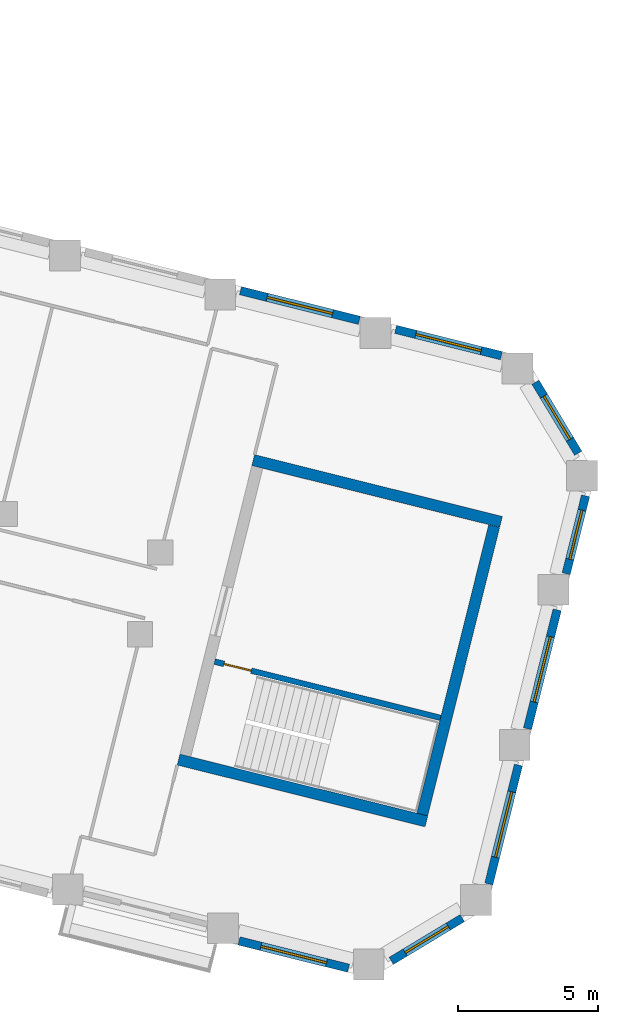
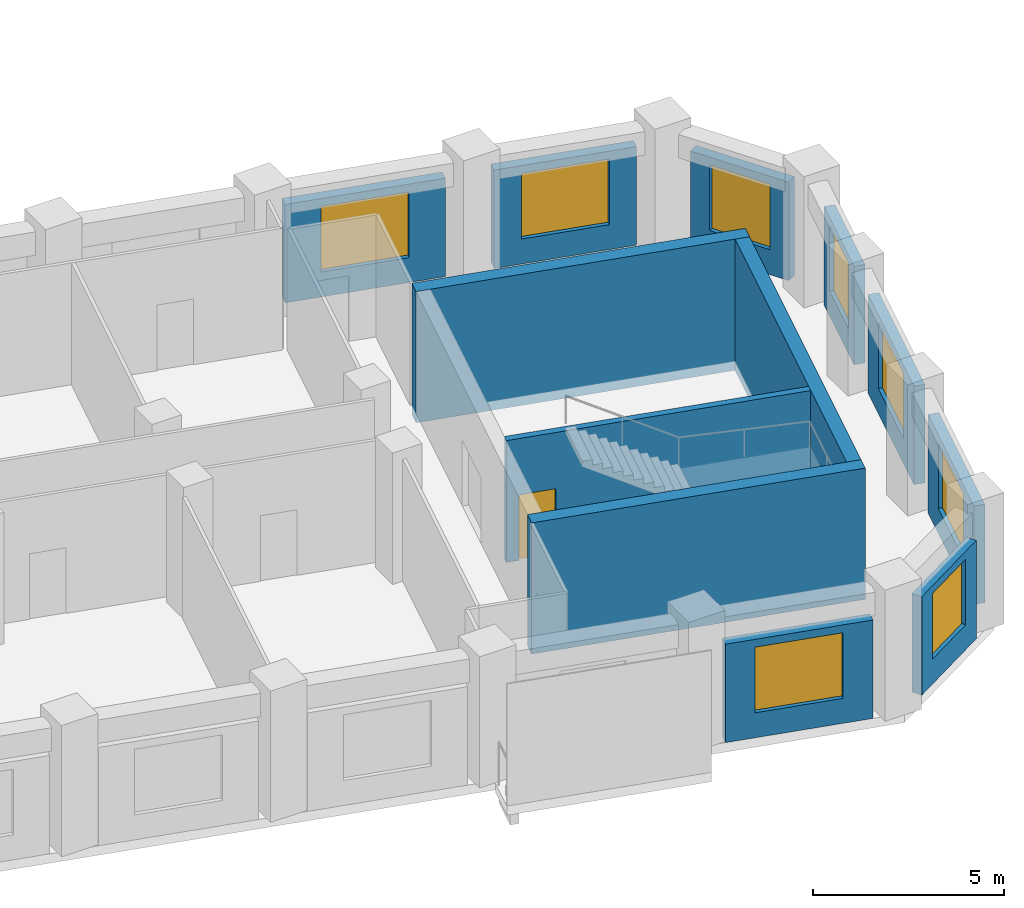
# One storey, part 7 of 10: 12 walls, 8 windows, 1 door, 9 openings.
"""IFC4 building model written with IfcOpenShell, lengths in metres."""

from ifc_helpers import new_model, si_unit, direction, frame, frame_2d, origin, place, context, subcontext, project, spatial, rectangle, extrude, material, layer, layer_set, type_object, element, fill, save


model = new_model("IFC4")

# Units and contexts
model_context = context("Model", 3, precision=1e-05, world=origin(), true_north=direction((0.0, 1.0)))
body_context = subcontext(model_context, "Body", "Model", "MODEL_VIEW")
ifc_project = project(units=[si_unit("LENGTHUNIT", "METRE"), si_unit("AREAUNIT", "SQUARE_METRE"), si_unit("VOLUMEUNIT", "CUBIC_METRE"), si_unit("PLANEANGLEUNIT", "RADIAN"), si_unit("MASSUNIT", "GRAM", prefix="KILO")], contexts=[model_context])

# Site, building, storey
site_placement = place(None, origin())
site = spatial("IfcSite", under=ifc_project, at=site_placement, CompositionType="ELEMENT")
building_placement = place(site_placement, origin())
building = spatial("IfcBuilding", under=site, at=building_placement, Name="Meshkara Civic Tower", CompositionType="ELEMENT")
storey_placement = place(building_placement, frame((0.0, 0.0, 271.800048828125)))
storey = spatial("IfcBuildingStorey", under=building, at=storey_placement, Name="L62", CompositionType="ELEMENT", Elevation=271.800048828125)

# Wall, opening, window
ifc_material_1 = material(Name="Insulated infill panel with bronze anodised aluminium cladding", Category="aluminium")
ifc_layer_1 = layer(ifc_material_1, 0.300048828125)
ifc_layer_set_1 = layer_set([ifc_layer_1], Name="EXTERNAL INFILL WALL 300")
wall_type_1 = type_object("IfcWallType", Name="EXTERNAL INFILL WALL 300", PredefinedType="SOLIDWALL", material=ifc_layer_set_1)
wall_1_placement = place(storey_placement, frame((71.02001953125, 5.635986328125, 0.0), z_axis=(0.0, 0.0, 1.0), x_axis=(-0.970297701374, 0.241913973777, 0.0)))
wall_1 = element("IfcWall", 1, at=wall_1_placement, inside=storey, type_object=wall_type_1, Name="External wall", PredefinedType="SOLIDWALL", context=body_context, shape_type="SweptSolid", body=[
    extrude(rectangle(XDim=3.88134765625, YDim=0.300048828125, at=frame_2d((1.940673828125, 0.0))), origin(), (0.0, 0.0, 1.0), 3.14990234375),
])
opening_1_placement = place(wall_1_placement, frame((0.740966796875, 0.0, 0.800048828125)))
opening_1 = element("IfcOpeningElement", 2, at=opening_1_placement, cuts=wall_1, Name="Opening W7", PredefinedType="OPENING", context=body_context, shape_type="SweptSolid", body=[
    extrude(rectangle(XDim=2.39990234375, YDim=2.10009765625, at=frame_2d((1.199951171875, 1.050048828125))), frame((0.0, 0.159912109375, 0.0), z_axis=(0.0, -1.0, 0.0), x_axis=(1.0, 0.0, 0.0)), (0.0, 0.0, 1.0), 0.320068359375),
])
ifc_material_2 = material(Name="Tinted double glazing", Category="glass")
window_type_1 = type_object("IfcWindowType", Name="WINDOW 2400x2100", PartitioningType="DOUBLE_PANEL_VERTICAL", PredefinedType="WINDOW", material=ifc_material_2)
window_1_placement = place(opening_1_placement, origin())
window_1 = element("IfcWindow", 3, at=window_1_placement, inside=storey, type_object=window_type_1, Name="Window", OverallHeight=2.10009765625, OverallWidth=2.39990234375, PartitioningType="DOUBLE_PANEL_VERTICAL", PredefinedType="WINDOW", context=body_context, shape_type="SweptSolid", body=[
    extrude(rectangle(XDim=2.39990234375, YDim=2.10009765625, at=frame_2d((1.199951171875, 1.050048828125))), frame((0.0, 0.030029296875, 0.0), z_axis=(0.0, -1.0, 0.0), x_axis=(1.0, 0.0, 0.0)), (0.0, 0.0, 1.0), 0.06005859375),
])
fill(opening_1, window_1)

wall_2_placement = place(storey_placement, frame((65.9599609375, 6.89794921875, 0.0), z_axis=(0.0, 0.0, 1.0), x_axis=(-0.970309996763, 0.241864652607, 0.0)))
wall_2 = element("IfcWall", 4, at=wall_2_placement, inside=storey, type_object=wall_type_1, Name="External wall", PredefinedType="SOLIDWALL", context=body_context, shape_type="SweptSolid", body=[
    extrude(rectangle(XDim=4.36669921875, YDim=0.300048828125, at=frame_2d((2.183349609375, 0.0))), origin(), (0.0, 0.0, 1.0), 3.14990234375),
])
opening_2_placement = place(wall_2_placement, frame((0.98291015625, 0.0, 0.800048828125)))
opening_2 = element("IfcOpeningElement", 5, at=opening_2_placement, cuts=wall_2, Name="Opening W7", PredefinedType="OPENING", context=body_context, shape_type="SweptSolid", body=[
    extrude(rectangle(XDim=2.39990234375, YDim=2.10009765625, at=frame_2d((1.199951171875, 1.050048828125))), frame((0.0, 0.159912109375, 0.0), z_axis=(0.0, -1.0, 0.0), x_axis=(1.0, 0.0, 0.0)), (0.0, 0.0, 1.0), 0.320068359375),
])
window_2_placement = place(opening_2_placement, origin())
window_2 = element("IfcWindow", 6, at=window_2_placement, inside=storey, type_object=window_type_1, Name="Window", OverallHeight=2.10009765625, OverallWidth=2.39990234375, PartitioningType="DOUBLE_PANEL_VERTICAL", PredefinedType="WINDOW", context=body_context, shape_type="SweptSolid", body=[
    extrude(rectangle(XDim=2.39990234375, YDim=2.10009765625, at=frame_2d((1.199951171875, 1.050048828125))), frame((0.0, 0.030029296875, 0.0), z_axis=(0.0, -1.0, 0.0), x_axis=(1.0, 0.0, 0.0)), (0.0, 0.0, 1.0), 0.06005859375),
])
fill(opening_2, window_2)

wall_3_placement = place(storey_placement, frame((61.6708984375, -15.220947265625, 0.0), z_axis=(0.0, 0.0, 1.0), x_axis=(0.97026726112, -0.242036034503, 0.0)))
wall_3 = element("IfcWall", 7, at=wall_3_placement, inside=storey, type_object=wall_type_1, Name="External wall", PredefinedType="SOLIDWALL", context=body_context, shape_type="SweptSolid", body=[
    extrude(rectangle(XDim=4.024658203125, YDim=0.300048828125, at=frame_2d((2.01220703125, 0.0))), origin(), (0.0, 0.0, 1.0), 3.14990234375),
])
opening_3_placement = place(wall_3_placement, frame((0.81201171875, 0.0, 0.800048828125)))
opening_3 = element("IfcOpeningElement", 8, at=opening_3_placement, cuts=wall_3, Name="Opening W7", PredefinedType="OPENING", context=body_context, shape_type="SweptSolid", body=[
    extrude(rectangle(XDim=2.39990234375, YDim=2.10009765625, at=frame_2d((1.199951171875, 1.050048828125))), frame((0.0, 0.159912109375, 0.0), z_axis=(0.0, -1.0, 0.0), x_axis=(1.0, 0.0, 0.0)), (0.0, 0.0, 1.0), 0.320068359375),
])
window_3_placement = place(opening_3_placement, origin())
window_3 = element("IfcWindow", 9, at=window_3_placement, inside=storey, type_object=window_type_1, Name="Window", OverallHeight=2.10009765625, OverallWidth=2.39990234375, PartitioningType="DOUBLE_PANEL_VERTICAL", PredefinedType="WINDOW", context=body_context, shape_type="SweptSolid", body=[
    extrude(rectangle(XDim=2.39990234375, YDim=2.10009765625, at=frame_2d((1.199951171875, 1.050048828125))), frame((0.0, 0.030029296875, 0.0), z_axis=(0.0, -1.0, 0.0), x_axis=(1.0, 0.0, 0.0)), (0.0, 0.0, 1.0), 0.06005859375),
])
fill(opening_3, window_3)

wall_4_placement = place(storey_placement, frame((67.097900390625, -15.93408203125, 0.0), z_axis=(0.0, 0.0, 1.0), x_axis=(0.857077006791, 0.515188319384, 0.0)))
wall_4 = element("IfcWall", 10, at=wall_4_placement, inside=storey, type_object=wall_type_1, Name="External wall", PredefinedType="SOLIDWALL", context=body_context, shape_type="SweptSolid", body=[
    extrude(rectangle(XDim=2.9541015625, YDim=0.300048828125, at=frame_2d((1.47705078125, 0.0))), origin(), (0.0, 0.0, 1.0), 3.14990234375),
])
opening_4_placement = place(wall_4_placement, frame((0.576904296875, 0.0, 0.800048828125)))
opening_4 = element("IfcOpeningElement", 11, at=opening_4_placement, cuts=wall_4, Name="Opening W9", PredefinedType="OPENING", context=body_context, shape_type="SweptSolid", body=[
    extrude(rectangle(XDim=1.800048828125, YDim=2.10009765625, at=frame_2d((0.89990234375, 1.050048828125))), frame((0.0, 0.159912109375, 0.0), z_axis=(0.0, -1.0, 0.0), x_axis=(1.0, 0.0, 0.0)), (0.0, 0.0, 1.0), 0.320068359375),
])
ifc_material_3 = material(Name="Tinted double glazing", Category="glass")
window_type_2 = type_object("IfcWindowType", Name="WINDOW 1800x2100", PartitioningType="DOUBLE_PANEL_VERTICAL", PredefinedType="WINDOW", material=ifc_material_3)
window_4_placement = place(opening_4_placement, origin())
window_4 = element("IfcWindow", 12, at=window_4_placement, inside=storey, type_object=window_type_2, Name="Window", OverallHeight=2.10009765625, OverallWidth=1.800048828125, PartitioningType="DOUBLE_PANEL_VERTICAL", PredefinedType="WINDOW", context=body_context, shape_type="SweptSolid", body=[
    extrude(rectangle(XDim=1.800048828125, YDim=2.10009765625, at=frame_2d((0.89990234375, 1.050048828125))), frame((0.0, 0.030029296875, 0.0), z_axis=(0.0, -1.0, 0.0), x_axis=(1.0, 0.0, 0.0)), (0.0, 0.0, 1.0), 0.06005859375),
])
fill(opening_4, window_4)

wall_5_placement = place(storey_placement, frame((70.574951171875, -13.19189453125, 0.0), z_axis=(0.0, 0.0, 1.0), x_axis=(0.241877774353, 0.970306725873, 0.0)))
wall_5 = element("IfcWall", 13, at=wall_5_placement, inside=storey, type_object=wall_type_1, Name="External wall", PredefinedType="SOLIDWALL", context=body_context, shape_type="SweptSolid", body=[
    extrude(rectangle(XDim=4.366455078125, YDim=0.300048828125, at=frame_2d((2.18310546875, 0.0))), origin(), (0.0, 0.0, 1.0), 3.14990234375),
])
opening_5_placement = place(wall_5_placement, frame((0.98291015625, 0.0, 0.800048828125)))
opening_5 = element("IfcOpeningElement", 14, at=opening_5_placement, cuts=wall_5, Name="Opening W7", PredefinedType="OPENING", context=body_context, shape_type="SweptSolid", body=[
    extrude(rectangle(XDim=2.39990234375, YDim=2.10009765625, at=frame_2d((1.199951171875, 1.050048828125))), frame((0.0, 0.159912109375, 0.0), z_axis=(0.0, -1.0, 0.0), x_axis=(1.0, 0.0, 0.0)), (0.0, 0.0, 1.0), 0.320068359375),
])
window_5_placement = place(opening_5_placement, origin())
window_5 = element("IfcWindow", 15, at=window_5_placement, inside=storey, type_object=window_type_1, Name="Window", OverallHeight=2.10009765625, OverallWidth=2.39990234375, PartitioningType="DOUBLE_PANEL_VERTICAL", PredefinedType="WINDOW", context=body_context, shape_type="SweptSolid", body=[
    extrude(rectangle(XDim=2.39990234375, YDim=2.10009765625, at=frame_2d((1.199951171875, 1.050048828125))), frame((0.0, 0.030029296875, 0.0), z_axis=(0.0, -1.0, 0.0), x_axis=(1.0, 0.0, 0.0)), (0.0, 0.0, 1.0), 0.06005859375),
])
fill(opening_5, window_5)

wall_6_placement = place(storey_placement, frame((71.9541015625, -7.660888671875, 0.0), z_axis=(0.0, 0.0, 1.0), x_axis=(0.241877622649, 0.97030676369, 0.0)))
wall_6 = element("IfcWall", 16, at=wall_6_placement, inside=storey, type_object=wall_type_1, Name="External wall", PredefinedType="SOLIDWALL", context=body_context, shape_type="SweptSolid", body=[
    extrude(rectangle(XDim=4.365478515625, YDim=0.300048828125, at=frame_2d((2.1826171875, 0.0))), origin(), (0.0, 0.0, 1.0), 3.14990234375),
])
opening_6_placement = place(wall_6_placement, frame((0.98291015625, 0.0, 0.800048828125)))
opening_6 = element("IfcOpeningElement", 17, at=opening_6_placement, cuts=wall_6, Name="Opening W7", PredefinedType="OPENING", context=body_context, shape_type="SweptSolid", body=[
    extrude(rectangle(XDim=2.39990234375, YDim=2.10009765625, at=frame_2d((1.199951171875, 1.050048828125))), frame((0.0, 0.159912109375, 0.0), z_axis=(0.0, -1.0, 0.0), x_axis=(1.0, 0.0, 0.0)), (0.0, 0.0, 1.0), 0.320068359375),
])
window_6_placement = place(opening_6_placement, origin())
window_6 = element("IfcWindow", 18, at=window_6_placement, inside=storey, type_object=window_type_1, Name="Window", OverallHeight=2.10009765625, OverallWidth=2.39990234375, PartitioningType="DOUBLE_PANEL_VERTICAL", PredefinedType="WINDOW", context=body_context, shape_type="SweptSolid", body=[
    extrude(rectangle(XDim=2.39990234375, YDim=2.10009765625, at=frame_2d((1.199951171875, 1.050048828125))), frame((0.0, 0.030029296875, 0.0), z_axis=(0.0, -1.0, 0.0), x_axis=(1.0, 0.0, 0.0)), (0.0, 0.0, 1.0), 0.06005859375),
])
fill(opening_6, window_6)

wall_7_placement = place(storey_placement, frame((73.3330078125, -2.131103515625, 0.0), z_axis=(0.0, 0.0, 1.0), x_axis=(0.241770612026, 0.970333432981, 0.0)))
wall_7 = element("IfcWall", 19, at=wall_7_placement, inside=storey, type_object=wall_type_1, Name="External wall", PredefinedType="SOLIDWALL", context=body_context, shape_type="SweptSolid", body=[
    extrude(rectangle(XDim=2.853759765625, YDim=0.300048828125, at=frame_2d((1.4267578125, 0.0))), origin(), (0.0, 0.0, 1.0), 3.14990234375),
])
opening_7_placement = place(wall_7_placement, frame((0.527099609375, 0.0, 0.800048828125)))
opening_7 = element("IfcOpeningElement", 20, at=opening_7_placement, cuts=wall_7, Name="Opening W9", PredefinedType="OPENING", context=body_context, shape_type="SweptSolid", body=[
    extrude(rectangle(XDim=1.800048828125, YDim=2.10009765625, at=frame_2d((0.89990234375, 1.050048828125))), frame((0.0, 0.159912109375, 0.0), z_axis=(0.0, -1.0, 0.0), x_axis=(1.0, 0.0, 0.0)), (0.0, 0.0, 1.0), 0.320068359375),
])
window_7_placement = place(opening_7_placement, origin())
window_7 = element("IfcWindow", 21, at=window_7_placement, inside=storey, type_object=window_type_2, Name="Window", OverallHeight=2.10009765625, OverallWidth=1.800048828125, PartitioningType="DOUBLE_PANEL_VERTICAL", PredefinedType="WINDOW", context=body_context, shape_type="SweptSolid", body=[
    extrude(rectangle(XDim=1.800048828125, YDim=2.10009765625, at=frame_2d((0.89990234375, 1.050048828125))), frame((0.0, 0.030029296875, 0.0), z_axis=(0.0, -1.0, 0.0), x_axis=(1.0, 0.0, 0.0)), (0.0, 0.0, 1.0), 0.06005859375),
])
fill(opening_7, window_7)

wall_8_placement = place(storey_placement, frame((73.761962890625, 2.159912109375, 0.0), z_axis=(0.0, 0.0, 1.0), x_axis=(-0.515334317037, 0.856989230786, 0.0)))
wall_8 = element("IfcWall", 22, at=wall_8_placement, inside=storey, type_object=wall_type_1, Name="External wall", PredefinedType="SOLIDWALL", context=body_context, shape_type="SweptSolid", body=[
    extrude(rectangle(XDim=2.953369140625, YDim=0.300048828125, at=frame_2d((1.4765625, 0.0))), origin(), (0.0, 0.0, 1.0), 3.14990234375),
])
opening_8_placement = place(wall_8_placement, frame((0.576904296875, 0.0, 0.800048828125)))
opening_8 = element("IfcOpeningElement", 23, at=opening_8_placement, cuts=wall_8, Name="Opening W9", PredefinedType="OPENING", context=body_context, shape_type="SweptSolid", body=[
    extrude(rectangle(XDim=1.800048828125, YDim=2.10009765625, at=frame_2d((0.89990234375, 1.050048828125))), frame((0.0, 0.159912109375, 0.0), z_axis=(0.0, -1.0, 0.0), x_axis=(1.0, 0.0, 0.0)), (0.0, 0.0, 1.0), 0.320068359375),
])
window_8_placement = place(opening_8_placement, origin())
window_8 = element("IfcWindow", 24, at=window_8_placement, inside=storey, type_object=window_type_2, Name="Window", OverallHeight=2.10009765625, OverallWidth=1.800048828125, PartitioningType="DOUBLE_PANEL_VERTICAL", PredefinedType="WINDOW", context=body_context, shape_type="SweptSolid", body=[
    extrude(rectangle(XDim=1.800048828125, YDim=2.10009765625, at=frame_2d((0.89990234375, 1.050048828125))), frame((0.0, 0.030029296875, 0.0), z_axis=(0.0, -1.0, 0.0), x_axis=(1.0, 0.0, 0.0)), (0.0, 0.0, 1.0), 0.06005859375),
])
fill(opening_8, window_8)

# Walls
ifc_material_4 = material(Name="Concrete C60", Category="concrete")
ifc_layer_2 = layer(ifc_material_4, 0.39990234375)
ifc_layer_set_2 = layer_set([ifc_layer_2], Name="End core ring wall 400 C60")
wall_type_2 = type_object("IfcWallType", Name="End core ring wall 400 C60", PredefinedType="SHEAR", material=ifc_layer_set_2)
wall_9_placement = place(storey_placement, frame((59.51904296875, -8.759033203125, -0.300048828125), z_axis=(0.0, 0.0, 1.0), x_axis=(0.970287509026, -0.241954850805, 0.0)))
element("IfcWall", 25, at=wall_9_placement, inside=storey, type_object=wall_type_2, Name="L62-C027", PredefinedType="SHEAR", context=body_context, shape_type="SweptSolid", body=[
    extrude(rectangle(XDim=9.1005859375, YDim=0.39990234375, at=frame_2d((4.55029296875, 0.0))), origin(), (0.0, 0.0, 1.0), 4.199951171875),
])
wall_10_placement = place(storey_placement, frame((62.179931640625, 1.9140625, -0.300048828125), z_axis=(0.0, 0.0, 1.0), x_axis=(0.970306400786, -0.241879078453, 0.0)))
element("IfcWall", 26, at=wall_10_placement, inside=storey, type_object=wall_type_2, Name="L62-C028", PredefinedType="SHEAR", context=body_context, shape_type="SweptSolid", body=[
    extrude(rectangle(XDim=9.100341796875, YDim=0.39990234375, at=frame_2d((4.55029296875, 0.0))), origin(), (0.0, 0.0, 1.0), 4.199951171875),
])
wall_11_placement = place(storey_placement, frame((68.202880859375, -10.718017578125, -0.300048828125), z_axis=(0.0, 0.0, 1.0), x_axis=(0.241912337509, 0.970298109326, 0.0)))
element("IfcWall", 27, at=wall_11_placement, inside=storey, type_object=wall_type_2, Name="L62-C030", PredefinedType="SHEAR", context=body_context, shape_type="SweptSolid", body=[
    extrude(rectangle(XDim=10.599853515625, YDim=0.39990234375, at=frame_2d((5.2998046875, 0.0))), origin(), (0.0, 0.0, 1.0), 4.199951171875),
])

# Wall, opening, door
ifc_material_5 = material(Name="Concrete C40/50", Category="concrete")
ifc_layer_3 = layer(ifc_material_5, 0.199951171875)
ifc_layer_set_3 = layer_set([ifc_layer_3], Name="Stair enclosure wall 200 C40/50")
wall_type_3 = type_object("IfcWallType", Name="Stair enclosure wall 200 C40/50", PredefinedType="SOLIDWALL", material=ifc_layer_set_3)
wall_12_placement = place(storey_placement, frame((60.802001953125, -5.26611328125, 0.0), z_axis=(0.0, 0.0, 1.0), x_axis=(0.970303192681, -0.241891947516, 0.0)))
wall_12 = element("IfcWall", 28, at=wall_12_placement, inside=storey, type_object=wall_type_3, Name="L62-C031", PredefinedType="SOLIDWALL", context=body_context, shape_type="SweptSolid", body=[
    extrude(rectangle(XDim=8.300537109375, YDim=0.199951171875, at=frame_2d((4.150390625, 0.0))), origin(), (0.0, 0.0, 1.0), 3.89990234375),
])
opening_9_placement = place(wall_12_placement, frame((0.35009765625, 0.0, 0.0)))
opening_9 = element("IfcOpeningElement", 29, at=opening_9_placement, cuts=wall_12, Name="Opening L62-K201", PredefinedType="OPENING", context=body_context, shape_type="SweptSolid", body=[
    extrude(rectangle(XDim=1.0, YDim=2.10009765625, at=frame_2d((0.5, 1.050048828125))), frame((0.0, 0.10986328125, 0.0), z_axis=(0.0, -1.0, 0.0), x_axis=(1.0, 0.0, 0.0)), (0.0, 0.0, 1.0), 0.219970703125),
])
ifc_material_6 = material(Name="Fire-rated door leaf in steel frame", Category="steel")
door_type = type_object("IfcDoorType", Name="Stair door 1000 EI 120", OperationType="SINGLE_SWING_LEFT", PredefinedType="DOOR", material=ifc_material_6)
door_placement = place(opening_9_placement, origin())
door = element("IfcDoor", 30, at=door_placement, inside=storey, type_object=door_type, Name="L62-K201", OperationType="SINGLE_SWING_LEFT", OverallHeight=2.10009765625, OverallWidth=1.0, PredefinedType="DOOR", context=body_context, shape_type="SweptSolid", body=[
    extrude(rectangle(XDim=1.0, YDim=2.10009765625, at=frame_2d((0.5, 1.050048828125))), frame((0.0, 0.02490234375, 0.0), z_axis=(0.0, -1.0, 0.0), x_axis=(1.0, 0.0, 0.0)), (0.0, 0.0, 1.0), 0.050048828125),
])
fill(opening_9, door)

save(model, "model.ifc")
